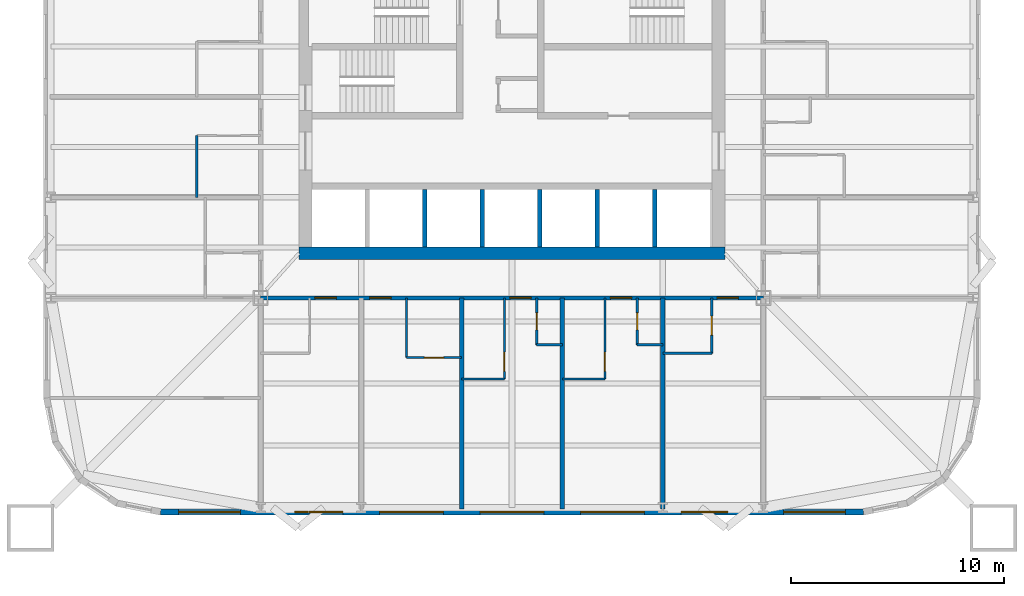
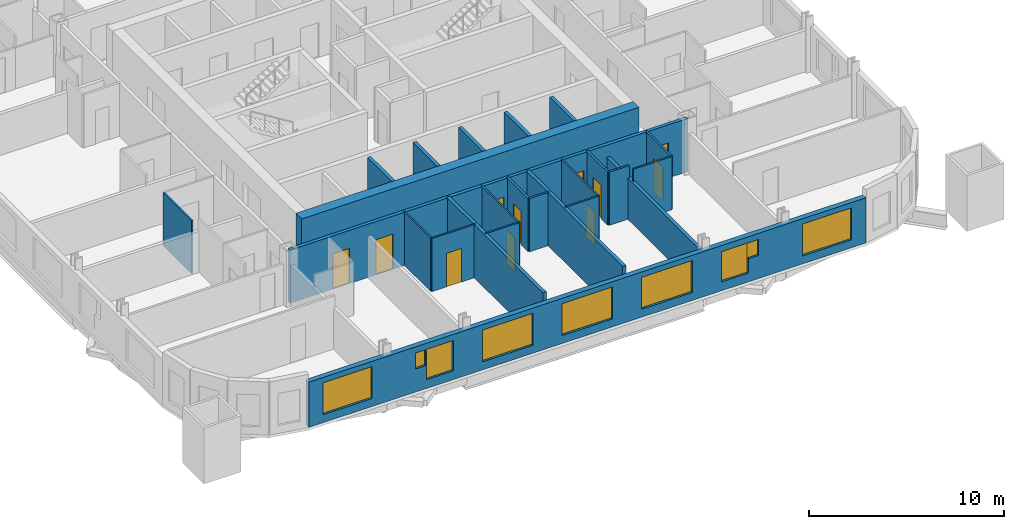
# One storey, part 3 of 10: 24 walls, 11 doors, 9 windows, 20 openings.
"""IFC4 building model written with IfcOpenShell, lengths in metres."""

from ifc_helpers import new_model, si_unit, direction, frame, frame_2d, origin, place, context, subcontext, project, spatial, rectangle, extrude, material, layer, layer_set, type_object, element, fill, save


model = new_model("IFC4")

# Units and contexts
model_context = context("Model", 3, precision=1e-05, world=origin(), true_north=direction((0.0, 1.0)))
body_context = subcontext(model_context, "Body", "Model", "MODEL_VIEW")
ifc_project = project(units=[si_unit("LENGTHUNIT", "METRE"), si_unit("AREAUNIT", "SQUARE_METRE"), si_unit("VOLUMEUNIT", "CUBIC_METRE"), si_unit("PLANEANGLEUNIT", "RADIAN"), si_unit("MASSUNIT", "GRAM", prefix="KILO")], contexts=[model_context])

# Site, building, storey
site_placement = place(None, origin())
site = spatial("IfcSite", under=ifc_project, at=site_placement, CompositionType="ELEMENT")
building_placement = place(site_placement, origin())
building = spatial("IfcBuilding", under=site, at=building_placement, Name="Turquesa Mirador Hotel Tower", CompositionType="ELEMENT")
storey_placement = place(building_placement, frame((0.0, 0.0, 70.5)))
storey = spatial("IfcBuildingStorey", under=building, at=storey_placement, Name="L18", CompositionType="ELEMENT", Elevation=70.5)

# Wall
ifc_material_1 = material(Name="Gypsum board on steel studs", Category="steel")
ifc_layer_1 = layer(ifc_material_1, 0.10009765625)
ifc_layer_set_1 = layer_set([ifc_layer_1], Name="BATHROOM WALL 100")
wall_type_1 = type_object("IfcWallType", Name="BATHROOM WALL 100", PredefinedType="PARTITIONING", material=ifc_layer_set_1)
wall_1_placement = place(storey_placement, frame((62.080078125, 30.60009765625, 0.0), z_axis=(0.0, 0.0, 1.0), x_axis=(1.0, 0.0, 0.0)))
element("IfcWall", 1, at=wall_1_placement, inside=storey, type_object=wall_type_1, Name="Partition L18 007", PredefinedType="PARTITIONING", context=body_context, shape_type="SweptSolid", body=[
    extrude(rectangle(XDim=2.2998046875, YDim=0.10009765625, at=frame_2d((1.14990234375, 0.0))), origin(), (0.0, 0.0, 1.0), 3.330078125),
])

# Wall, opening, door
wall_2_placement = place(storey_placement, frame((50.0400390625, 30.39990234375, 0.0), z_axis=(0.0, 0.0, 1.0), x_axis=(1.0, 0.0, 0.0)))
wall_2 = element("IfcWall", 2, at=wall_2_placement, inside=storey, type_object=wall_type_1, Name="Partition L18 008", PredefinedType="PARTITIONING", context=body_context, shape_type="SweptSolid", body=[
    extrude(rectangle(XDim=2.599853515625, YDim=0.10009765625, at=frame_2d((1.2998046875, 0.0))), origin(), (0.0, 0.0, 1.0), 3.330078125),
])
opening_1_placement = place(wall_2_placement, frame((0.85009765625, 0.0, 0.0)))
opening_1 = element("IfcOpeningElement", 3, at=opening_1_placement, cuts=wall_2, Name="Opening D02", PredefinedType="OPENING", context=body_context, shape_type="SweptSolid", body=[
    extrude(rectangle(XDim=0.89990234375, YDim=2.10009765625, at=frame_2d((0.449951171875, 1.050048828125))), frame((0.0, 0.06005859375, 0.0), z_axis=(0.0, -1.0, 0.0), x_axis=(1.0, 0.0, 0.0)), (0.0, 0.0, 1.0), 0.1201171875),
])
ifc_material_2 = material(Name="Timber veneered door", Category="wood")
door_type_1 = type_object("IfcDoorType", Name="DOOR 900X2100 EN-SUITE", OperationType="SINGLE_SWING_RIGHT", PredefinedType="DOOR", material=ifc_material_2)
door_1_placement = place(opening_1_placement, origin())
door_1 = element("IfcDoor", 4, at=door_1_placement, inside=storey, type_object=door_type_1, Name="Door 1804B", OperationType="SINGLE_SWING_RIGHT", OverallHeight=2.10009765625, OverallWidth=0.89990234375, PredefinedType="DOOR", context=body_context, shape_type="SweptSolid", body=[
    extrude(rectangle(XDim=0.89990234375, YDim=2.10009765625, at=frame_2d((0.449951171875, 1.050048828125))), frame((0.0, 0.02490234375, 0.0), z_axis=(0.0, -1.0, 0.0), x_axis=(1.0, 0.0, 0.0)), (0.0, 0.0, 1.0), 0.050048828125),
])
fill(opening_1, door_1)

# Walls
for number, where, z_axis, x_axis, name in (
    (5, (52.639892578125, 29.39990234375, 0.0), (0.0, 0.0, 1.0), (1.0, 0.0, 0.0), "Partition L18 009"),
    (6, (57.360107421875, 29.39990234375, 0.0), (0.0, 0.0, 1.0), (1.0, 0.0, 0.0), "Partition L18 010"),
):
    element("IfcWall", number, at=place(storey_placement, frame(where, z_axis=z_axis, x_axis=x_axis)), inside=storey, type_object=wall_type_1, Name=name, PredefinedType="PARTITIONING", context=body_context, shape_type="SweptSolid", body=[
        extrude(rectangle(XDim=2.0, YDim=0.10009765625, at=frame_2d((1.0, 0.0))), origin(), (0.0, 0.0, 1.0), 3.330078125),
    ])

# Wall, opening, door
wall_3_placement = place(storey_placement, frame((54.639892578125, 29.39990234375, 0.0), z_axis=(0.0, 0.0, 1.0), x_axis=(0.0, 1.0, 0.0)))
wall_3 = element("IfcWall", 7, at=wall_3_placement, inside=storey, type_object=wall_type_1, Name="Partition L18 041", PredefinedType="PARTITIONING", context=body_context, shape_type="SweptSolid", body=[
    extrude(rectangle(XDim=3.800048828125, YDim=0.10009765625, at=frame_2d((1.89990234375, 0.0))), origin(), (0.0, 0.0, 1.0), 3.330078125),
])
opening_2_placement = place(wall_3_placement, frame((0.35009765625, 0.0, 0.0)))
opening_2 = element("IfcOpeningElement", 8, at=opening_2_placement, cuts=wall_3, Name="Opening D02", PredefinedType="OPENING", context=body_context, shape_type="SweptSolid", body=[
    extrude(rectangle(XDim=0.89990234375, YDim=2.10009765625, at=frame_2d((0.449951171875, 1.050048828125))), frame((0.0, 0.06005859375, 0.0), z_axis=(0.0, -1.0, 0.0), x_axis=(1.0, 0.0, 0.0)), (0.0, 0.0, 1.0), 0.1201171875),
])
door_2_placement = place(opening_2_placement, origin())
door_2 = element("IfcDoor", 9, at=door_2_placement, inside=storey, type_object=door_type_1, Name="Door 1805B", OperationType="SINGLE_SWING_RIGHT", OverallHeight=2.10009765625, OverallWidth=0.89990234375, PredefinedType="DOOR", context=body_context, shape_type="SweptSolid", body=[
    extrude(rectangle(XDim=0.89990234375, YDim=2.10009765625, at=frame_2d((0.449951171875, 1.050048828125))), frame((0.0, 0.02490234375, 0.0), z_axis=(0.0, -1.0, 0.0), x_axis=(1.0, 0.0, 0.0)), (0.0, 0.0, 1.0), 0.050048828125),
])
fill(opening_2, door_2)

# Walls
wall_4_placement = place(storey_placement, frame((40.199951171875, 37.919921875, 0.0), z_axis=(0.0, 0.0, 1.0), x_axis=(0.0, 1.0, 0.0)))
element("IfcWall", 10, at=wall_4_placement, inside=storey, type_object=wall_type_1, Name="Partition L18 051", PredefinedType="PARTITIONING", context=body_context, shape_type="SweptSolid", body=[
    extrude(rectangle(XDim=2.900146484375, YDim=0.10009765625, at=frame_2d((1.4501953125, 0.0))), origin(), (0.0, 0.0, 1.0), 3.330078125),
])
wall_5_placement = place(storey_placement, frame((50.0400390625, 30.39990234375, 0.0), z_axis=(0.0, 0.0, 1.0), x_axis=(0.0, 1.0, 0.0)))
element("IfcWall", 11, at=wall_5_placement, inside=storey, type_object=wall_type_1, Name="Partition L18 056", PredefinedType="PARTITIONING", context=body_context, shape_type="SweptSolid", body=[
    extrude(rectangle(XDim=2.800048828125, YDim=0.10009765625, at=frame_2d((1.39990234375, 0.0))), origin(), (0.0, 0.0, 1.0), 3.330078125),
])

# Wall, opening, door
wall_6_placement = place(storey_placement, frame((59.360107421875, 29.39990234375, 0.0), z_axis=(0.0, 0.0, 1.0), x_axis=(0.0, 1.0, 0.0)))
wall_6 = element("IfcWall", 12, at=wall_6_placement, inside=storey, type_object=wall_type_1, Name="Partition L18 075", PredefinedType="PARTITIONING", context=body_context, shape_type="SweptSolid", body=[
    extrude(rectangle(XDim=3.800048828125, YDim=0.10009765625, at=frame_2d((1.89990234375, 0.0))), origin(), (0.0, 0.0, 1.0), 3.330078125),
])
opening_3_placement = place(wall_6_placement, frame((0.35009765625, 0.0, 0.0)))
opening_3 = element("IfcOpeningElement", 13, at=opening_3_placement, cuts=wall_6, Name="Opening D02", PredefinedType="OPENING", context=body_context, shape_type="SweptSolid", body=[
    extrude(rectangle(XDim=0.89990234375, YDim=2.10009765625, at=frame_2d((0.449951171875, 1.050048828125))), frame((0.0, 0.06005859375, 0.0), z_axis=(0.0, -1.0, 0.0), x_axis=(1.0, 0.0, 0.0)), (0.0, 0.0, 1.0), 0.1201171875),
])
door_3_placement = place(opening_3_placement, origin())
door_3 = element("IfcDoor", 14, at=door_3_placement, inside=storey, type_object=door_type_1, Name="Door 1806B", OperationType="SINGLE_SWING_RIGHT", OverallHeight=2.10009765625, OverallWidth=0.89990234375, PredefinedType="DOOR", context=body_context, shape_type="SweptSolid", body=[
    extrude(rectangle(XDim=0.89990234375, YDim=2.10009765625, at=frame_2d((0.449951171875, 1.050048828125))), frame((0.0, 0.02490234375, 0.0), z_axis=(0.0, -1.0, 0.0), x_axis=(1.0, 0.0, 0.0)), (0.0, 0.0, 1.0), 0.050048828125),
])
fill(opening_3, door_3)

wall_7_placement = place(storey_placement, frame((64.3798828125, 30.60009765625, 0.0), z_axis=(0.0, 0.0, 1.0), x_axis=(0.0, 1.0, 0.0)))
wall_7 = element("IfcWall", 15, at=wall_7_placement, inside=storey, type_object=wall_type_1, Name="Partition L18 079", PredefinedType="PARTITIONING", context=body_context, shape_type="SweptSolid", body=[
    extrude(rectangle(XDim=2.599853515625, YDim=0.10009765625, at=frame_2d((1.2998046875, 0.0))), origin(), (0.0, 0.0, 1.0), 3.330078125),
])
opening_4_placement = place(wall_7_placement, frame((0.85009765625, 0.0, 0.0)))
opening_4 = element("IfcOpeningElement", 16, at=opening_4_placement, cuts=wall_7, Name="Opening D02", PredefinedType="OPENING", context=body_context, shape_type="SweptSolid", body=[
    extrude(rectangle(XDim=0.89990234375, YDim=2.10009765625, at=frame_2d((0.449951171875, 1.050048828125))), frame((0.0, 0.06005859375, 0.0), z_axis=(0.0, -1.0, 0.0), x_axis=(1.0, 0.0, 0.0)), (0.0, 0.0, 1.0), 0.1201171875),
])
door_4_placement = place(opening_4_placement, origin())
door_4 = element("IfcDoor", 17, at=door_4_placement, inside=storey, type_object=door_type_1, Name="Door 1807B", OperationType="SINGLE_SWING_RIGHT", OverallHeight=2.10009765625, OverallWidth=0.89990234375, PredefinedType="DOOR", context=body_context, shape_type="SweptSolid", body=[
    extrude(rectangle(XDim=0.89990234375, YDim=2.10009765625, at=frame_2d((0.449951171875, 1.050048828125))), frame((0.0, 0.02490234375, 0.0), z_axis=(0.0, -1.0, 0.0), x_axis=(1.0, 0.0, 0.0)), (0.0, 0.0, 1.0), 0.050048828125),
])
fill(opening_4, door_4)

# Wall
ifc_material_3 = material(Name="Concrete C50/60", Category="concrete")
ifc_layer_2 = layer(ifc_material_3, 0.60009765625)
ifc_layer_set_2 = layer_set([ifc_layer_2], Name="CORE WALL 600")
wall_type_2 = type_object("IfcWallType", Name="CORE WALL 600", PredefinedType="SHEAR", material=ifc_layer_set_2)
wall_8_placement = place(storey_placement, frame((45.0, 35.300048828125, 0.0), z_axis=(0.0, 0.0, 1.0), x_axis=(1.0, 0.0, 0.0)))
element("IfcWall", 18, at=wall_8_placement, inside=storey, type_object=wall_type_2, Name="Core wall S", PredefinedType="SHEAR", context=body_context, shape_type="SweptSolid", body=[
    extrude(rectangle(XDim=20.0, YDim=0.60009765625, at=frame_2d((10.0, 0.0))), origin(), (0.0, 0.0, 1.0), 3.5),
])

# Wall, openings, doors
ifc_material_4 = material(Name="Fire-rated gypsum board on steel studs", Category="steel")
ifc_layer_3 = layer(ifc_material_4, 0.199951171875)
ifc_layer_set_3 = layer_set([ifc_layer_3], Name="CORRIDOR WALL 200")
wall_type_3 = type_object("IfcWallType", Name="CORRIDOR WALL 200", PredefinedType="PARTITIONING", material=ifc_layer_set_3)
wall_9_placement = place(storey_placement, frame((43.199951171875, 33.199951171875, 0.0), z_axis=(0.0, 0.0, 1.0), x_axis=(1.0, 0.0, 0.0)))
wall_9 = element("IfcWall", 19, at=wall_9_placement, inside=storey, type_object=wall_type_3, Name="Partition L18 001", PredefinedType="PARTITIONING", context=body_context, shape_type="SweptSolid", body=[
    extrude(rectangle(XDim=23.60009765625, YDim=0.199951171875, at=frame_2d((11.800048828125, 0.0))), origin(), (0.0, 0.0, 1.0), 3.330078125),
])
opening_5_placement = place(wall_9_placement, frame((2.550048828125, 0.0, 0.0)))
opening_5 = element("IfcOpeningElement", 20, at=opening_5_placement, cuts=wall_9, Name="Opening D01", PredefinedType="OPENING", context=body_context, shape_type="SweptSolid", body=[
    extrude(rectangle(XDim=1.0, YDim=2.199951171875, at=frame_2d((0.5, 1.10009765625))), frame((0.0, 0.10986328125, 0.0), z_axis=(0.0, -1.0, 0.0), x_axis=(1.0, 0.0, 0.0)), (0.0, 0.0, 1.0), 0.219970703125),
])
opening_6_placement = place(wall_9_placement, frame((5.1201171875, 0.0, 0.0)))
opening_6 = element("IfcOpeningElement", 21, at=opening_6_placement, cuts=wall_9, Name="Opening D01", PredefinedType="OPENING", context=body_context, shape_type="SweptSolid", body=[
    extrude(rectangle(XDim=1.0, YDim=2.199951171875, at=frame_2d((0.5, 1.10009765625))), frame((0.0, 0.10986328125, 0.0), z_axis=(0.0, -1.0, 0.0), x_axis=(1.0, 0.0, 0.0)), (0.0, 0.0, 1.0), 0.219970703125),
])
opening_7_placement = place(wall_9_placement, frame((11.699951171875, 0.0, 0.0)))
opening_7 = element("IfcOpeningElement", 22, at=opening_7_placement, cuts=wall_9, Name="Opening D01", PredefinedType="OPENING", context=body_context, shape_type="SweptSolid", body=[
    extrude(rectangle(XDim=1.0, YDim=2.199951171875, at=frame_2d((0.5, 1.10009765625))), frame((0.0, 0.10986328125, 0.0), z_axis=(0.0, -1.0, 0.0), x_axis=(1.0, 0.0, 0.0)), (0.0, 0.0, 1.0), 0.219970703125),
])
opening_8_placement = place(wall_9_placement, frame((16.419921875, 0.0, 0.0)))
opening_8 = element("IfcOpeningElement", 23, at=opening_8_placement, cuts=wall_9, Name="Opening D01", PredefinedType="OPENING", context=body_context, shape_type="SweptSolid", body=[
    extrude(rectangle(XDim=1.0, YDim=2.199951171875, at=frame_2d((0.5, 1.10009765625))), frame((0.0, 0.10986328125, 0.0), z_axis=(0.0, -1.0, 0.0), x_axis=(1.0, 0.0, 0.0)), (0.0, 0.0, 1.0), 0.219970703125),
])
opening_9_placement = place(wall_9_placement, frame((21.429931640625, 0.0, 0.0)))
opening_9 = element("IfcOpeningElement", 24, at=opening_9_placement, cuts=wall_9, Name="Opening D01", PredefinedType="OPENING", context=body_context, shape_type="SweptSolid", body=[
    extrude(rectangle(XDim=1.0, YDim=2.199951171875, at=frame_2d((0.5, 1.10009765625))), frame((0.0, 0.10986328125, 0.0), z_axis=(0.0, -1.0, 0.0), x_axis=(1.0, 0.0, 0.0)), (0.0, 0.0, 1.0), 0.219970703125),
])
ifc_material_5 = material(Name="Timber veneered fire door", Category="wood")
door_type_2 = type_object("IfcDoorType", Name="DOOR 1000X2200 GUEST ENTRY", OperationType="SINGLE_SWING_LEFT", PredefinedType="DOOR", material=ifc_material_5)
door_5_placement = place(opening_5_placement, origin())
door_5 = element("IfcDoor", 25, at=door_5_placement, inside=storey, type_object=door_type_2, Name="Door 1803", OperationType="SINGLE_SWING_LEFT", OverallHeight=2.199951171875, OverallWidth=1.0, PredefinedType="DOOR", context=body_context, shape_type="SweptSolid", body=[
    extrude(rectangle(XDim=1.0, YDim=2.199951171875, at=frame_2d((0.5, 1.10009765625))), frame((0.0, 0.02490234375, 0.0), z_axis=(0.0, -1.0, 0.0), x_axis=(1.0, 0.0, 0.0)), (0.0, 0.0, 1.0), 0.050048828125),
])
fill(opening_5, door_5)
door_6_placement = place(opening_6_placement, origin())
door_6 = element("IfcDoor", 26, at=door_6_placement, inside=storey, type_object=door_type_2, Name="Door 1804", OperationType="SINGLE_SWING_LEFT", OverallHeight=2.199951171875, OverallWidth=1.0, PredefinedType="DOOR", context=body_context, shape_type="SweptSolid", body=[
    extrude(rectangle(XDim=1.0, YDim=2.199951171875, at=frame_2d((0.5, 1.10009765625))), frame((0.0, 0.02490234375, 0.0), z_axis=(0.0, -1.0, 0.0), x_axis=(1.0, 0.0, 0.0)), (0.0, 0.0, 1.0), 0.050048828125),
])
fill(opening_6, door_6)
door_7_placement = place(opening_7_placement, origin())
door_7 = element("IfcDoor", 27, at=door_7_placement, inside=storey, type_object=door_type_2, Name="Door 1805", OperationType="SINGLE_SWING_LEFT", OverallHeight=2.199951171875, OverallWidth=1.0, PredefinedType="DOOR", context=body_context, shape_type="SweptSolid", body=[
    extrude(rectangle(XDim=1.0, YDim=2.199951171875, at=frame_2d((0.5, 1.10009765625))), frame((0.0, 0.02490234375, 0.0), z_axis=(0.0, -1.0, 0.0), x_axis=(1.0, 0.0, 0.0)), (0.0, 0.0, 1.0), 0.050048828125),
])
fill(opening_7, door_7)
door_8_placement = place(opening_8_placement, origin())
door_8 = element("IfcDoor", 28, at=door_8_placement, inside=storey, type_object=door_type_2, Name="Door 1806", OperationType="SINGLE_SWING_LEFT", OverallHeight=2.199951171875, OverallWidth=1.0, PredefinedType="DOOR", context=body_context, shape_type="SweptSolid", body=[
    extrude(rectangle(XDim=1.0, YDim=2.199951171875, at=frame_2d((0.5, 1.10009765625))), frame((0.0, 0.02490234375, 0.0), z_axis=(0.0, -1.0, 0.0), x_axis=(1.0, 0.0, 0.0)), (0.0, 0.0, 1.0), 0.050048828125),
])
fill(opening_8, door_8)
door_9_placement = place(opening_9_placement, origin())
door_9 = element("IfcDoor", 29, at=door_9_placement, inside=storey, type_object=door_type_2, Name="Door 1807", OperationType="SINGLE_SWING_LEFT", OverallHeight=2.199951171875, OverallWidth=1.0, PredefinedType="DOOR", context=body_context, shape_type="SweptSolid", body=[
    extrude(rectangle(XDim=1.0, YDim=2.199951171875, at=frame_2d((0.5, 1.10009765625))), frame((0.0, 0.02490234375, 0.0), z_axis=(0.0, -1.0, 0.0), x_axis=(1.0, 0.0, 0.0)), (0.0, 0.0, 1.0), 0.050048828125),
])
fill(opening_9, door_9)

# Wall, openings, windows
ifc_material_6 = material(Name="Limestone cladding on concrete block", Category="masonry")
ifc_layer_4 = layer(ifc_material_6, 0.300048828125)
ifc_layer_set_4 = layer_set([ifc_layer_4], Name="FACADE WALL 300 STONE SCREEN")
wall_type_4 = type_object("IfcWallType", Name="FACADE WALL 300 STONE SCREEN", PredefinedType="SOLIDWALL", material=ifc_layer_set_4)
wall_10_placement = place(storey_placement, frame((38.5, 23.14990234375, 0.0), z_axis=(0.0, 0.0, 1.0), x_axis=(1.0, 0.0, 0.0)))
wall_10 = element("IfcWall", 30, at=wall_10_placement, inside=storey, type_object=wall_type_4, Name="Facade wall L18 19", PredefinedType="SOLIDWALL", context=body_context, shape_type="SweptSolid", body=[
    extrude(rectangle(XDim=33.0, YDim=0.300048828125, at=frame_2d((16.5, 0.0))), origin(), (0.0, 0.0, 1.0), 2.830078125),
])
opening_10_placement = place(wall_10_placement, frame((0.85009765625, 0.0, 0.5)))
opening_10 = element("IfcOpeningElement", 31, at=opening_10_placement, cuts=wall_10, Name="Opening WN54", PredefinedType="OPENING", context=body_context, shape_type="SweptSolid", body=[
    extrude(rectangle(XDim=2.89990234375, YDim=2.0, at=frame_2d((1.449951171875, 1.0))), frame((0.0, 0.159912109375, 0.0), z_axis=(0.0, -1.0, 0.0), x_axis=(1.0, 0.0, 0.0)), (0.0, 0.0, 1.0), 0.320068359375),
])
opening_11_placement = place(wall_10_placement, frame((6.9599609375, 0.0, 0.550048828125)))
opening_11 = element("IfcOpeningElement", 32, at=opening_11_placement, cuts=wall_10, Name="Opening WN44", PredefinedType="OPENING", context=body_context, shape_type="SweptSolid", body=[
    extrude(rectangle(XDim=1.60009765625, YDim=1.89990234375, at=frame_2d((0.800048828125, 0.949951171875))), frame((0.0, 0.159912109375, 0.0), z_axis=(0.0, -1.0, 0.0), x_axis=(1.0, 0.0, 0.0)), (0.0, 0.0, 1.0), 0.320068359375),
])
opening_12_placement = place(wall_10_placement, frame((10.280029296875, 0.0, 0.5)))
opening_12 = element("IfcOpeningElement", 33, at=opening_12_placement, cuts=wall_10, Name="Opening WN1", PredefinedType="OPENING", context=body_context, shape_type="SweptSolid", body=[
    extrude(rectangle(XDim=3.0, YDim=2.0, at=frame_2d((1.5, 1.0))), frame((0.0, 0.159912109375, 0.0), z_axis=(0.0, -1.0, 0.0), x_axis=(1.0, 0.0, 0.0)), (0.0, 0.0, 1.0), 0.320068359375),
])
opening_13_placement = place(wall_10_placement, frame((15.0, 0.0, 0.5)))
opening_13 = element("IfcOpeningElement", 34, at=opening_13_placement, cuts=wall_10, Name="Opening WN1", PredefinedType="OPENING", context=body_context, shape_type="SweptSolid", body=[
    extrude(rectangle(XDim=3.0, YDim=2.0, at=frame_2d((1.5, 1.0))), frame((0.0, 0.159912109375, 0.0), z_axis=(0.0, -1.0, 0.0), x_axis=(1.0, 0.0, 0.0)), (0.0, 0.0, 1.0), 0.320068359375),
])
opening_14_placement = place(wall_10_placement, frame((19.719970703125, 0.0, 0.5)))
opening_14 = element("IfcOpeningElement", 35, at=opening_14_placement, cuts=wall_10, Name="Opening WN1", PredefinedType="OPENING", context=body_context, shape_type="SweptSolid", body=[
    extrude(rectangle(XDim=3.0, YDim=2.0, at=frame_2d((1.5, 1.0))), frame((0.0, 0.159912109375, 0.0), z_axis=(0.0, -1.0, 0.0), x_axis=(1.0, 0.0, 0.0)), (0.0, 0.0, 1.0), 0.320068359375),
])
opening_15_placement = place(wall_10_placement, frame((24.43994140625, 0.0, 0.550048828125)))
opening_15 = element("IfcOpeningElement", 36, at=opening_15_placement, cuts=wall_10, Name="Opening WN44", PredefinedType="OPENING", context=body_context, shape_type="SweptSolid", body=[
    extrude(rectangle(XDim=1.60009765625, YDim=1.89990234375, at=frame_2d((0.800048828125, 0.949951171875))), frame((0.0, 0.159912109375, 0.0), z_axis=(0.0, -1.0, 0.0), x_axis=(1.0, 0.0, 0.0)), (0.0, 0.0, 1.0), 0.320068359375),
])
opening_16_placement = place(wall_10_placement, frame((29.25, 0.0, 0.5)))
opening_16 = element("IfcOpeningElement", 37, at=opening_16_placement, cuts=wall_10, Name="Opening WN54", PredefinedType="OPENING", context=body_context, shape_type="SweptSolid", body=[
    extrude(rectangle(XDim=2.89990234375, YDim=2.0, at=frame_2d((1.449951171875, 1.0))), frame((0.0, 0.159912109375, 0.0), z_axis=(0.0, -1.0, 0.0), x_axis=(1.0, 0.0, 0.0)), (0.0, 0.0, 1.0), 0.320068359375),
])
opening_17_placement = place(wall_10_placement, frame((6.31005859375, 0.0, 1.449951171875)))
opening_17 = element("IfcOpeningElement", 38, at=opening_17_placement, cuts=wall_10, Name="Opening WN29", PredefinedType="OPENING", context=body_context, shape_type="SweptSolid", body=[
    extrude(rectangle(XDim=0.60009765625, YDim=1.0, at=frame_2d((0.300048828125, 0.5))), frame((0.0, 0.159912109375, 0.0), z_axis=(0.0, -1.0, 0.0), x_axis=(1.0, 0.0, 0.0)), (0.0, 0.0, 1.0), 0.320068359375),
])
opening_18_placement = place(wall_10_placement, frame((26.0400390625, 0.0, 1.449951171875)))
opening_18 = element("IfcOpeningElement", 39, at=opening_18_placement, cuts=wall_10, Name="Opening WN29", PredefinedType="OPENING", context=body_context, shape_type="SweptSolid", body=[
    extrude(rectangle(XDim=0.60009765625, YDim=1.0, at=frame_2d((0.300048828125, 0.5))), frame((0.0, 0.159912109375, 0.0), z_axis=(0.0, -1.0, 0.0), x_axis=(1.0, 0.0, 0.0)), (0.0, 0.0, 1.0), 0.320068359375),
])
ifc_material_7 = material(Name="Ceramic-fritted laminated glass", Category="glass")
window_type_1 = type_object("IfcWindowType", Name="FRITTED WINDOW 1600X1900", PartitioningType="DOUBLE_PANEL_HORIZONTAL", PredefinedType="WINDOW", material=ifc_material_7)
window_1_placement = place(opening_11_placement, origin())
window_1 = element("IfcWindow", 40, at=window_1_placement, inside=storey, type_object=window_type_1, Name="Window L18", OverallHeight=1.89990234375, OverallWidth=1.60009765625, PartitioningType="SINGLE_PANEL", PredefinedType="WINDOW", context=body_context, shape_type="SweptSolid", body=[
    extrude(rectangle(XDim=1.60009765625, YDim=1.89990234375, at=frame_2d((0.800048828125, 0.949951171875))), frame((0.0, 0.030029296875, 0.0), z_axis=(0.0, -1.0, 0.0), x_axis=(1.0, 0.0, 0.0)), (0.0, 0.0, 1.0), 0.06005859375),
])
fill(opening_11, window_1)
window_2_placement = place(opening_15_placement, origin())
window_2 = element("IfcWindow", 41, at=window_2_placement, inside=storey, type_object=window_type_1, Name="Window L18", OverallHeight=1.89990234375, OverallWidth=1.60009765625, PartitioningType="SINGLE_PANEL", PredefinedType="WINDOW", context=body_context, shape_type="SweptSolid", body=[
    extrude(rectangle(XDim=1.60009765625, YDim=1.89990234375, at=frame_2d((0.800048828125, 0.949951171875))), frame((0.0, 0.030029296875, 0.0), z_axis=(0.0, -1.0, 0.0), x_axis=(1.0, 0.0, 0.0)), (0.0, 0.0, 1.0), 0.06005859375),
])
fill(opening_15, window_2)
ifc_material_8 = material(Name="Ceramic-fritted laminated glass", Category="glass")
window_type_2 = type_object("IfcWindowType", Name="FRITTED WINDOW 2900X2000", PartitioningType="DOUBLE_PANEL_HORIZONTAL", PredefinedType="WINDOW", material=ifc_material_8)
window_3_placement = place(opening_10_placement, origin())
window_3 = element("IfcWindow", 42, at=window_3_placement, inside=storey, type_object=window_type_2, Name="Window L18", OverallHeight=2.0, OverallWidth=2.89990234375, PartitioningType="SINGLE_PANEL", PredefinedType="WINDOW", context=body_context, shape_type="SweptSolid", body=[
    extrude(rectangle(XDim=2.89990234375, YDim=2.0, at=frame_2d((1.449951171875, 1.0))), frame((0.0, 0.030029296875, 0.0), z_axis=(0.0, -1.0, 0.0), x_axis=(1.0, 0.0, 0.0)), (0.0, 0.0, 1.0), 0.06005859375),
])
fill(opening_10, window_3)
window_4_placement = place(opening_16_placement, origin())
window_4 = element("IfcWindow", 43, at=window_4_placement, inside=storey, type_object=window_type_2, Name="Window L18", OverallHeight=2.0, OverallWidth=2.89990234375, PartitioningType="SINGLE_PANEL", PredefinedType="WINDOW", context=body_context, shape_type="SweptSolid", body=[
    extrude(rectangle(XDim=2.89990234375, YDim=2.0, at=frame_2d((1.449951171875, 1.0))), frame((0.0, 0.030029296875, 0.0), z_axis=(0.0, -1.0, 0.0), x_axis=(1.0, 0.0, 0.0)), (0.0, 0.0, 1.0), 0.06005859375),
])
fill(opening_16, window_4)
ifc_material_9 = material(Name="Ceramic-fritted laminated glass", Category="glass")
window_type_3 = type_object("IfcWindowType", Name="FRITTED WINDOW 3000X2000", PartitioningType="DOUBLE_PANEL_HORIZONTAL", PredefinedType="WINDOW", material=ifc_material_9)
window_5_placement = place(opening_12_placement, origin())
window_5 = element("IfcWindow", 44, at=window_5_placement, inside=storey, type_object=window_type_3, Name="Window L18", OverallHeight=2.0, OverallWidth=3.0, PartitioningType="SINGLE_PANEL", PredefinedType="WINDOW", context=body_context, shape_type="SweptSolid", body=[
    extrude(rectangle(XDim=3.0, YDim=2.0, at=frame_2d((1.5, 1.0))), frame((0.0, 0.030029296875, 0.0), z_axis=(0.0, -1.0, 0.0), x_axis=(1.0, 0.0, 0.0)), (0.0, 0.0, 1.0), 0.06005859375),
])
fill(opening_12, window_5)
window_6_placement = place(opening_13_placement, origin())
window_6 = element("IfcWindow", 45, at=window_6_placement, inside=storey, type_object=window_type_3, Name="Window L18", OverallHeight=2.0, OverallWidth=3.0, PartitioningType="SINGLE_PANEL", PredefinedType="WINDOW", context=body_context, shape_type="SweptSolid", body=[
    extrude(rectangle(XDim=3.0, YDim=2.0, at=frame_2d((1.5, 1.0))), frame((0.0, 0.030029296875, 0.0), z_axis=(0.0, -1.0, 0.0), x_axis=(1.0, 0.0, 0.0)), (0.0, 0.0, 1.0), 0.06005859375),
])
fill(opening_13, window_6)
window_7_placement = place(opening_14_placement, origin())
window_7 = element("IfcWindow", 46, at=window_7_placement, inside=storey, type_object=window_type_3, Name="Window L18", OverallHeight=2.0, OverallWidth=3.0, PartitioningType="SINGLE_PANEL", PredefinedType="WINDOW", context=body_context, shape_type="SweptSolid", body=[
    extrude(rectangle(XDim=3.0, YDim=2.0, at=frame_2d((1.5, 1.0))), frame((0.0, 0.030029296875, 0.0), z_axis=(0.0, -1.0, 0.0), x_axis=(1.0, 0.0, 0.0)), (0.0, 0.0, 1.0), 0.06005859375),
])
fill(opening_14, window_7)
ifc_material_10 = material(Name="Ceramic-fritted laminated glass", Category="glass")
window_type_4 = type_object("IfcWindowType", Name="FRITTED WINDOW 600X1000", PartitioningType="DOUBLE_PANEL_HORIZONTAL", PredefinedType="WINDOW", material=ifc_material_10)
window_8_placement = place(opening_17_placement, origin())
window_8 = element("IfcWindow", 47, at=window_8_placement, inside=storey, type_object=window_type_4, Name="Window L18", OverallHeight=1.0, OverallWidth=0.60009765625, PartitioningType="SINGLE_PANEL", PredefinedType="WINDOW", context=body_context, shape_type="SweptSolid", body=[
    extrude(rectangle(XDim=0.60009765625, YDim=1.0, at=frame_2d((0.300048828125, 0.5))), frame((0.0, 0.030029296875, 0.0), z_axis=(0.0, -1.0, 0.0), x_axis=(1.0, 0.0, 0.0)), (0.0, 0.0, 1.0), 0.06005859375),
])
fill(opening_17, window_8)
window_9_placement = place(opening_18_placement, origin())
window_9 = element("IfcWindow", 48, at=window_9_placement, inside=storey, type_object=window_type_4, Name="Window L18", OverallHeight=1.0, OverallWidth=0.60009765625, PartitioningType="SINGLE_PANEL", PredefinedType="WINDOW", context=body_context, shape_type="SweptSolid", body=[
    extrude(rectangle(XDim=0.60009765625, YDim=1.0, at=frame_2d((0.300048828125, 0.5))), frame((0.0, 0.030029296875, 0.0), z_axis=(0.0, -1.0, 0.0), x_axis=(1.0, 0.0, 0.0)), (0.0, 0.0, 1.0), 0.06005859375),
])
fill(opening_18, window_9)

# Walls
ifc_material_11 = material(Name="Fire-rated gypsum shaft wall on steel studs", Category="steel")
ifc_layer_5 = layer(ifc_material_11, 0.199951171875)
ifc_layer_set_5 = layer_set([ifc_layer_5], Name="LIFT SHAFT DIVIDER 200")
wall_type_5 = type_object("IfcWallType", Name="LIFT SHAFT DIVIDER 200", PredefinedType="PARTITIONING", material=ifc_layer_set_5)
for number, where, z_axis, x_axis, name in (
    (49, (50.89990234375, 35.60009765625, 0.0), (0.0, 0.0, 1.0), (0.0, 1.0, 0.0), "Lift shaft divider"),
    (50, (53.60009765625, 35.60009765625, 0.0), (0.0, 0.0, 1.0), (0.0, 1.0, 0.0), "Lift shaft divider"),
    (51, (56.300048828125, 35.60009765625, 0.0), (0.0, 0.0, 1.0), (0.0, 1.0, 0.0), "Lift shaft divider"),
    (52, (59.0, 35.60009765625, 0.0), (0.0, 0.0, 1.0), (0.0, 1.0, 0.0), "Lift shaft divider"),
    (53, (61.699951171875, 35.60009765625, 0.0), (0.0, 0.0, 1.0), (0.0, 1.0, 0.0), "Lift shaft divider"),
):
    element("IfcWall", number, at=place(storey_placement, frame(where, z_axis=z_axis, x_axis=x_axis)), inside=storey, type_object=wall_type_5, Name=name, PredefinedType="PARTITIONING", context=body_context, shape_type="SweptSolid", body=[
        extrude(rectangle(XDim=2.699951171875, YDim=0.199951171875, at=frame_2d((1.35009765625, 0.0))), origin(), (0.0, 0.0, 1.0), 3.330078125),
    ])
ifc_material_12 = material(Name="Fire-rated gypsum board on steel studs", Category="steel")
ifc_layer_6 = layer(ifc_material_12, 0.199951171875)
ifc_layer_set_6 = layer_set([ifc_layer_6], Name="PARTY WALL 200")
wall_type_6 = type_object("IfcWallType", Name="PARTY WALL 200", PredefinedType="PARTITIONING", material=ifc_layer_set_6)
for number, where, z_axis, x_axis, name in (
    (54, (52.639892578125, 23.300048828125, 0.0), (0.0, 0.0, 1.0), (0.0, 1.0, 0.0), "Partition L18 054"),
    (55, (57.360107421875, 23.300048828125, 0.0), (0.0, 0.0, 1.0), (0.0, 1.0, 0.0), "Partition L18 073"),
):
    element("IfcWall", number, at=place(storey_placement, frame(where, z_axis=z_axis, x_axis=x_axis)), inside=storey, type_object=wall_type_6, Name=name, PredefinedType="PARTITIONING", context=body_context, shape_type="SweptSolid", body=[
        extrude(rectangle(XDim=9.89990234375, YDim=0.199951171875, at=frame_2d((4.949951171875, 0.0))), origin(), (0.0, 0.0, 1.0), 3.330078125),
    ])
wall_11_placement = place(storey_placement, frame((62.080078125, 23.300048828125, 0.0), z_axis=(0.0, 0.0, 1.0), x_axis=(0.0, 1.0, 0.0)))
element("IfcWall", 56, at=wall_11_placement, inside=storey, type_object=wall_type_6, Name="Partition L18 078", PredefinedType="PARTITIONING", context=body_context, shape_type="SweptSolid", body=[
    extrude(rectangle(XDim=9.89990234375, YDim=0.199951171875, at=frame_2d((4.949951171875, 0.0))), origin(), (0.0, 0.0, 1.0), 2.572998046875),
])
ifc_material_13 = material(Name="Acoustic gypsum board on steel studs", Category="steel")
ifc_layer_7 = layer(ifc_material_13, 0.125)
ifc_layer_set_7 = layer_set([ifc_layer_7], Name="SUITE PARTITION 125")
wall_type_7 = type_object("IfcWallType", Name="SUITE PARTITION 125", PredefinedType="PARTITIONING", material=ifc_layer_set_7)
for number, where, z_axis, x_axis, name in (
    (57, (56.159912109375, 31.0, 0.0), (0.0, 0.0, 1.0), (1.0, 0.0, 0.0), "Partition L18 004"),
    (58, (60.8798828125, 31.0, 0.0), (0.0, 0.0, 1.0), (1.0, 0.0, 0.0), "Partition L18 005"),
):
    element("IfcWall", number, at=place(storey_placement, frame(where, z_axis=z_axis, x_axis=x_axis)), inside=storey, type_object=wall_type_7, Name=name, PredefinedType="PARTITIONING", context=body_context, shape_type="SweptSolid", body=[
        extrude(rectangle(XDim=1.2001953125, YDim=0.125, at=frame_2d((0.60009765625, 0.0))), origin(), (0.0, 0.0, 1.0), 3.330078125),
    ])

# Wall, opening, door
wall_12_placement = place(storey_placement, frame((56.159912109375, 31.0, 0.0), z_axis=(0.0, 0.0, 1.0), x_axis=(0.0, 1.0, 0.0)))
wall_12 = element("IfcWall", 59, at=wall_12_placement, inside=storey, type_object=wall_type_7, Name="Partition L18 059", PredefinedType="PARTITIONING", context=body_context, shape_type="SweptSolid", body=[
    extrude(rectangle(XDim=2.199951171875, YDim=0.125, at=frame_2d((1.10009765625, 0.0))), origin(), (0.0, 0.0, 1.0), 3.330078125),
])
opening_19_placement = place(wall_12_placement, frame((0.699951171875, 0.0, 0.0)))
opening_19 = element("IfcOpeningElement", 60, at=opening_19_placement, cuts=wall_12, Name="Opening D20", PredefinedType="OPENING", context=body_context, shape_type="SweptSolid", body=[
    extrude(rectangle(XDim=0.800048828125, YDim=2.10009765625, at=frame_2d((0.39990234375, 1.050048828125))), frame((0.0, 0.072509765625, 0.0), z_axis=(0.0, -1.0, 0.0), x_axis=(1.0, 0.0, 0.0)), (0.0, 0.0, 1.0), 0.14501953125),
])
ifc_material_14 = material(Name="Timber veneered sliding door", Category="wood")
door_type_3 = type_object("IfcDoorType", Name="DOOR 800X2100 WARDROBE", OperationType="SLIDING_TO_LEFT", PredefinedType="DOOR", material=ifc_material_14)
door_10_placement = place(opening_19_placement, origin())
door_10 = element("IfcDoor", 61, at=door_10_placement, inside=storey, type_object=door_type_3, Name="Door 1805W", OperationType="SLIDING_TO_LEFT", OverallHeight=2.10009765625, OverallWidth=0.800048828125, PredefinedType="DOOR", context=body_context, shape_type="SweptSolid", body=[
    extrude(rectangle(XDim=0.800048828125, YDim=2.10009765625, at=frame_2d((0.39990234375, 1.050048828125))), frame((0.0, 0.02490234375, 0.0), z_axis=(0.0, -1.0, 0.0), x_axis=(1.0, 0.0, 0.0)), (0.0, 0.0, 1.0), 0.050048828125),
])
fill(opening_19, door_10)

wall_13_placement = place(storey_placement, frame((60.8798828125, 31.0, 0.0), z_axis=(0.0, 0.0, 1.0), x_axis=(0.0, 1.0, 0.0)))
wall_13 = element("IfcWall", 62, at=wall_13_placement, inside=storey, type_object=wall_type_7, Name="Partition L18 077", PredefinedType="PARTITIONING", context=body_context, shape_type="SweptSolid", body=[
    extrude(rectangle(XDim=2.199951171875, YDim=0.125, at=frame_2d((1.10009765625, 0.0))), origin(), (0.0, 0.0, 1.0), 3.330078125),
])
opening_20_placement = place(wall_13_placement, frame((0.699951171875, 0.0, 0.0)))
opening_20 = element("IfcOpeningElement", 63, at=opening_20_placement, cuts=wall_13, Name="Opening D20", PredefinedType="OPENING", context=body_context, shape_type="SweptSolid", body=[
    extrude(rectangle(XDim=0.800048828125, YDim=2.10009765625, at=frame_2d((0.39990234375, 1.050048828125))), frame((0.0, 0.072509765625, 0.0), z_axis=(0.0, -1.0, 0.0), x_axis=(1.0, 0.0, 0.0)), (0.0, 0.0, 1.0), 0.14501953125),
])
door_11_placement = place(opening_20_placement, origin())
door_11 = element("IfcDoor", 64, at=door_11_placement, inside=storey, type_object=door_type_3, Name="Door 1806W", OperationType="SLIDING_TO_LEFT", OverallHeight=2.10009765625, OverallWidth=0.800048828125, PredefinedType="DOOR", context=body_context, shape_type="SweptSolid", body=[
    extrude(rectangle(XDim=0.800048828125, YDim=2.10009765625, at=frame_2d((0.39990234375, 1.050048828125))), frame((0.0, 0.02490234375, 0.0), z_axis=(0.0, -1.0, 0.0), x_axis=(1.0, 0.0, 0.0)), (0.0, 0.0, 1.0), 0.050048828125),
])
fill(opening_20, door_11)

save(model, "model.ifc")
